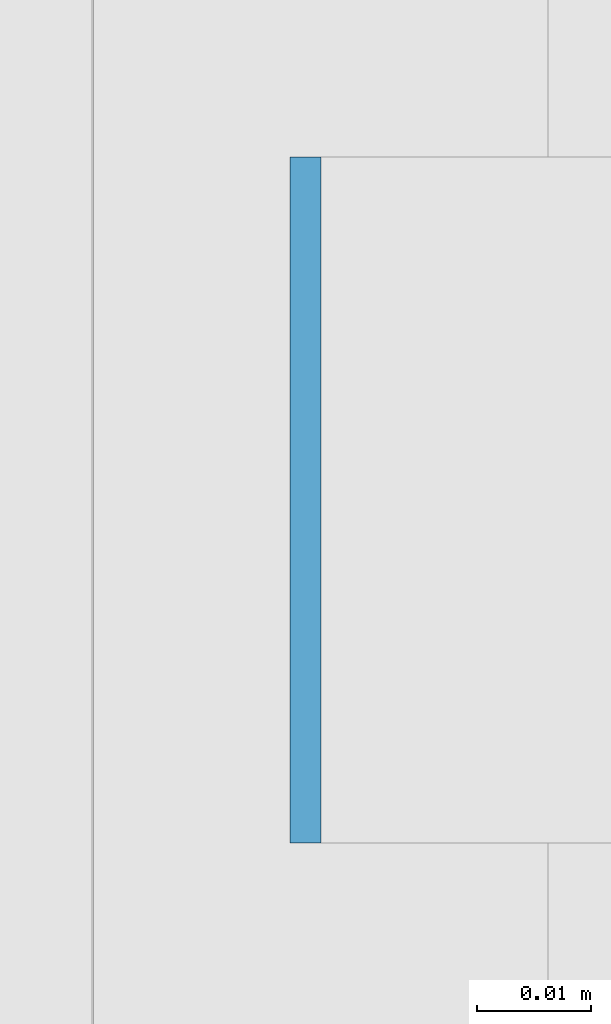
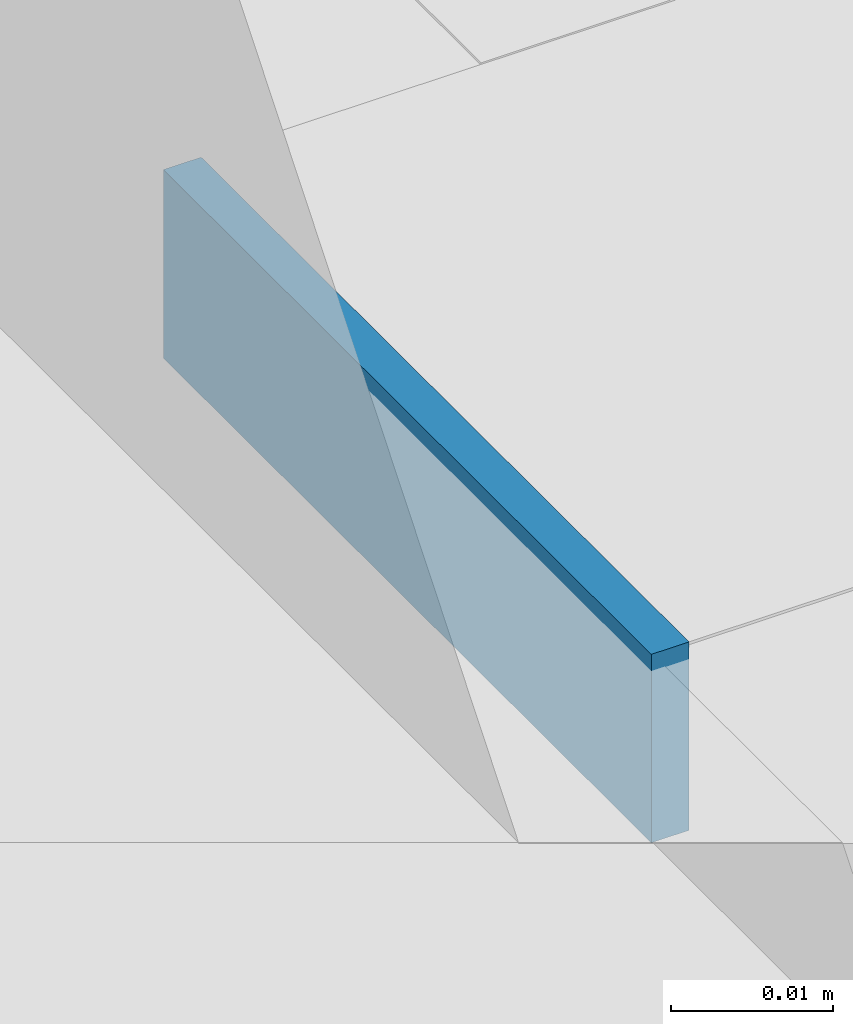
# One storey, part 515 of 646: 1 discrete accessory.
"""IFC4 building model written with IfcOpenShell, lengths in metres."""

from ifc_helpers import new_model, si_unit, direction, frame, origin, origin_2d, place, context, subcontext, project, spatial, rectangle, extrude, material, type_object, element, save


model = new_model("IFC4")

# Units and contexts
model_context = context("Model", 3, precision=1e-05, world=origin(), true_north=direction((0.0, 1.0)))
body_context = subcontext(model_context, "Body", "Model", "MODEL_VIEW")
ifc_project = project(units=[si_unit("LENGTHUNIT", "METRE"), si_unit("AREAUNIT", "SQUARE_METRE"), si_unit("VOLUMEUNIT", "CUBIC_METRE"), si_unit("PLANEANGLEUNIT", "RADIAN"), si_unit("MASSUNIT", "GRAM", prefix="KILO")], contexts=[model_context])

# Site, building, storey
site_placement = place(None, origin())
site = spatial("IfcSite", under=ifc_project, at=site_placement, CompositionType="ELEMENT")
building_placement = place(site_placement, origin())
building = spatial("IfcBuilding", under=site, at=building_placement, Name="Silverbay Arena", CompositionType="ELEMENT")
storey_placement = place(building_placement, frame((0.0, 0.0, 33.5)))
storey = spatial("IfcBuildingStorey", under=building, at=storey_placement, Name="L05", CompositionType="ELEMENT", Elevation=33.5)

# Discrete accessory
ifc_material = material(Name="Steel S355", Category="steel")
discrete_accessory_type = type_object("IfcDiscreteAccessoryType", Name="Steel bracket plate", PredefinedType="BRACKET", material=ifc_material)
discrete_accessory_placement = place(storey_placement, frame((207.128662109375, 75.857177734375, 12.98583984375), z_axis=(0.0, 0.0, 1.0), x_axis=(1.0, 0.0, 0.0)))
element("IfcDiscreteAccessory", 1, at=discrete_accessory_placement, inside=storey, type_object=discrete_accessory_type, Name="Curtain wall packing plate", PredefinedType="BRACKET", context=body_context, shape_type="SweptSolid", body=[
    extrude(rectangle(XDim=0.002685546875, YDim=0.06005859375, at=origin_2d()), origin(), (0.0, 0.0, 1.0), 0.01416015625),
])

save(model, "model.ifc")
